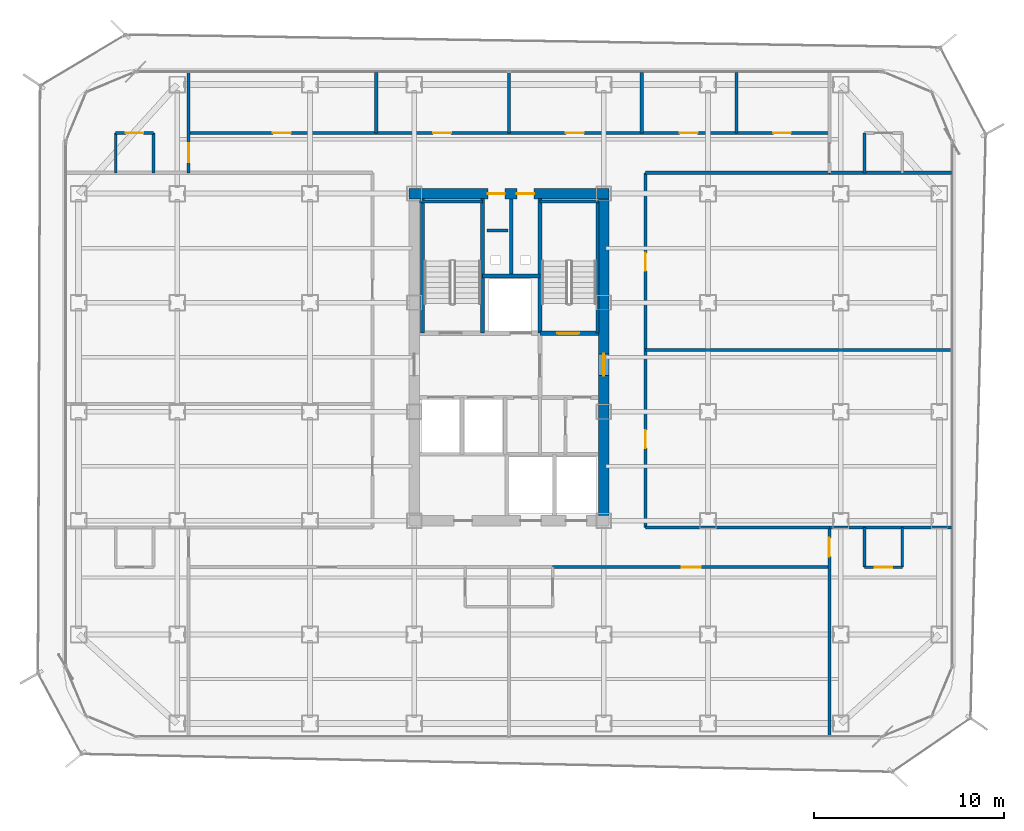
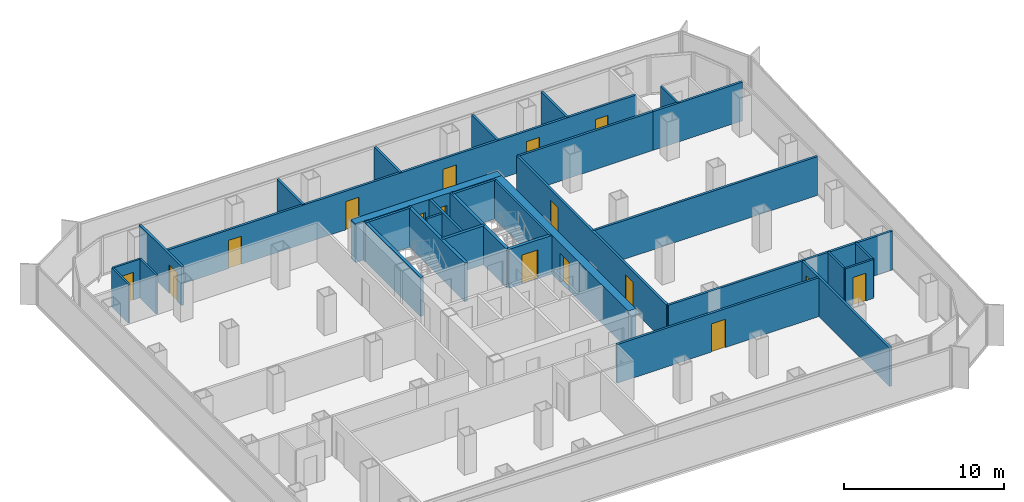
# One storey, part 17 of 21: 33 walls, 16 doors, 16 openings.
"""IFC4 building model written with IfcOpenShell, lengths in metres."""

from ifc_helpers import new_model, si_unit, direction, frame, frame_2d, origin, place, context, subcontext, project, spatial, rectangle, extrude, material, layer, layer_set, type_object, element, fill, save


model = new_model("IFC4")

# Units and contexts
model_context = context("Model", 3, precision=1e-05, world=origin(), true_north=direction((0.0, 1.0)))
body_context = subcontext(model_context, "Body", "Model", "MODEL_VIEW")
ifc_project = project(units=[si_unit("LENGTHUNIT", "METRE"), si_unit("AREAUNIT", "SQUARE_METRE"), si_unit("VOLUMEUNIT", "CUBIC_METRE"), si_unit("PLANEANGLEUNIT", "RADIAN"), si_unit("MASSUNIT", "GRAM", prefix="KILO")], contexts=[model_context])

# Site, building, storey
site_placement = place(None, origin())
site = spatial("IfcSite", under=ifc_project, at=site_placement, CompositionType="ELEMENT")
building_placement = place(site_placement, origin())
building = spatial("IfcBuilding", under=site, at=building_placement, Name="Kolveth Station Tower", CompositionType="ELEMENT")
storey_placement = place(building_placement, frame((0.0, 0.0, 134.300048828125)))
storey = spatial("IfcBuildingStorey", under=building, at=storey_placement, Name="L37", CompositionType="ELEMENT", Elevation=134.300048828125)

# Wall, openings, doors
ifc_material_1 = material(Name="Concrete C60/75", Category="concrete")
ifc_layer_1 = layer(ifc_material_1, 0.550048828125)
ifc_layer_set_1 = layer_set([ifc_layer_1], Name="Concrete C60/75")
wall_type_1 = type_object("IfcWallType", Name="Wall_CW-550", PredefinedType="SHEAR", material=ifc_layer_set_1)
wall_1_placement = place(storey_placement, frame((18.22509765625, 28.75, 0.0), z_axis=(0.0, 0.0, 1.0), x_axis=(1.0, 0.0, 0.0)))
wall_1 = element("IfcWall", 1, at=wall_1_placement, inside=storey, type_object=wall_type_1, Name="L37 Core RC Shear Wall N", PredefinedType="SHEAR", context=body_context, shape_type="SweptSolid", body=[
    extrude(rectangle(XDim=10.5498046875, YDim=0.550048828125, at=frame_2d((5.27490234375, 0.0))), origin(), (0.0, 0.0, 1.0), 2.949951171875),
])
opening_1_placement = place(wall_1_placement, frame((4.155029296875, 0.0, 0.0)))
opening_1 = element("IfcOpeningElement", 2, at=opening_1_placement, cuts=wall_1, Name="Opening RD1", PredefinedType="OPENING", context=body_context, shape_type="SweptSolid", body=[
    extrude(rectangle(XDim=0.89990234375, YDim=2.050048828125, at=frame_2d((0.449951171875, 1.02490234375))), frame((0.0, 0.284912109375, 0.0), z_axis=(0.0, -1.0, 0.0), x_axis=(1.0, 0.0, 0.0)), (0.0, 0.0, 1.0), 0.570068359375),
])
opening_2_placement = place(wall_1_placement, frame((5.695068359375, 0.0, 0.0)))
opening_2 = element("IfcOpeningElement", 3, at=opening_2_placement, cuts=wall_1, Name="Opening RD1", PredefinedType="OPENING", context=body_context, shape_type="SweptSolid", body=[
    extrude(rectangle(XDim=0.89990234375, YDim=2.050048828125, at=frame_2d((0.449951171875, 1.02490234375))), frame((0.0, 0.284912109375, 0.0), z_axis=(0.0, -1.0, 0.0), x_axis=(1.0, 0.0, 0.0)), (0.0, 0.0, 1.0), 0.570068359375),
])
ifc_material_2 = material(Name="Fire-rated Steel S355 riser access leaf", Category="steel")
door_type_1 = type_object("IfcDoorType", Name="Door_RD1", OperationType="NOTDEFINED", PredefinedType="DOOR", material=ifc_material_2)
door_1_placement = place(opening_1_placement, origin())
door_1 = element("IfcDoor", 4, at=door_1_placement, inside=storey, type_object=door_type_1, Name="L37 Electrical Riser Access Door", OperationType="SINGLE_SWING_LEFT", OverallHeight=2.050048828125, OverallWidth=0.89990234375, PredefinedType="DOOR", context=body_context, shape_type="SweptSolid", body=[
    extrude(rectangle(XDim=0.89990234375, YDim=2.050048828125, at=frame_2d((0.449951171875, 1.02490234375))), frame((0.0, 0.02490234375, 0.0), z_axis=(0.0, -1.0, 0.0), x_axis=(1.0, 0.0, 0.0)), (0.0, 0.0, 1.0), 0.050048828125),
])
fill(opening_1, door_1)
door_2_placement = place(opening_2_placement, origin())
door_2 = element("IfcDoor", 5, at=door_2_placement, inside=storey, type_object=door_type_1, Name="L37 Smoke Duct Access Door", OperationType="SINGLE_SWING_RIGHT", OverallHeight=2.050048828125, OverallWidth=0.89990234375, PredefinedType="DOOR", context=body_context, shape_type="SweptSolid", body=[
    extrude(rectangle(XDim=0.89990234375, YDim=2.050048828125, at=frame_2d((0.449951171875, 1.02490234375))), frame((0.0, 0.02490234375, 0.0), z_axis=(0.0, -1.0, 0.0), x_axis=(1.0, 0.0, 0.0)), (0.0, 0.0, 1.0), 0.050048828125),
])
fill(opening_2, door_2)

# Wall, opening, door
wall_2_placement = place(storey_placement, frame((28.5, 11.77490234375, 0.0), z_axis=(0.0, 0.0, 1.0), x_axis=(0.0, 1.0, 0.0)))
wall_2 = element("IfcWall", 6, at=wall_2_placement, inside=storey, type_object=wall_type_1, Name="L37 Core RC Shear Wall E", PredefinedType="SHEAR", context=body_context, shape_type="SweptSolid", body=[
    extrude(rectangle(XDim=16.7001953125, YDim=0.550048828125, at=frame_2d((8.35009765625, 0.0))), origin(), (0.0, 0.0, 1.0), 2.949951171875),
])
opening_3_placement = place(wall_2_placement, frame((7.375, 0.0, 0.0)))
opening_3 = element("IfcOpeningElement", 7, at=opening_3_placement, cuts=wall_2, Name="Opening FD1", PredefinedType="OPENING", context=body_context, shape_type="SweptSolid", body=[
    extrude(rectangle(XDim=1.14990234375, YDim=2.199951171875, at=frame_2d((0.574951171875, 1.10009765625))), frame((0.0, 0.284912109375, 0.0), z_axis=(0.0, -1.0, 0.0), x_axis=(1.0, 0.0, 0.0)), (0.0, 0.0, 1.0), 0.570068359375),
])
ifc_material_3 = material(Name="Fire-rated Steel S355 leaf and frame", Category="steel")
door_type_2 = type_object("IfcDoorType", Name="Door_FD1", OperationType="NOTDEFINED", PredefinedType="DOOR", material=ifc_material_3)
door_3_placement = place(opening_3_placement, origin())
door_3 = element("IfcDoor", 8, at=door_3_placement, inside=storey, type_object=door_type_2, Name="L37 East Corridor to Stair Lobby Door", OperationType="SINGLE_SWING_RIGHT", OverallHeight=2.199951171875, OverallWidth=1.14990234375, PredefinedType="DOOR", context=body_context, shape_type="SweptSolid", body=[
    extrude(rectangle(XDim=1.14990234375, YDim=2.199951171875, at=frame_2d((0.574951171875, 1.10009765625))), frame((0.0, 0.02490234375, 0.0), z_axis=(0.0, -1.0, 0.0), x_axis=(1.0, 0.0, 0.0)), (0.0, 0.0, 1.0), 0.050048828125),
])
fill(opening_3, door_3)

# Walls
ifc_material_4 = material(Name="Moisture-resistant gypsum partition")
ifc_layer_2 = layer(ifc_material_4, 0.135009765625)
ifc_layer_set_2 = layer_set([ifc_layer_2], Name="Moisture-resistant gypsum partition")
wall_type_2 = type_object("IfcWallType", Name="Wall_IW-135", PredefinedType="PARTITIONING", material=ifc_layer_set_2)
wall_3_placement = place(storey_placement, frame((28.16748046875, 21.389892578125, 0.0), z_axis=(0.0, 0.0, 1.0), x_axis=(0.0, 1.0, 0.0)))
element("IfcWall", 9, at=wall_3_placement, inside=storey, type_object=wall_type_2, Name="L37 Stair Shaft Wall WL-L37-ST2-E", PredefinedType="PARTITIONING", context=body_context, shape_type="SweptSolid", body=[
    extrude(rectangle(XDim=6.945068359375, YDim=0.135009765625, at=frame_2d((3.47265625, 0.0))), origin(), (0.0, 0.0, 1.0), 2.949951171875),
])
for number, where, z_axis, x_axis, name in (
    (10, (2.75, 29.85009765625, 0.0), (0.0, 0.0, 1.0), (0.0, 1.0, 0.0), "L37 Partition Wall WL-L37-WS2-BV1"),
    (11, (4.75, 29.85009765625, 0.0), (0.0, 0.0, 1.0), (0.0, 1.0, 0.0), "L37 Partition Wall WL-L37-WS2-BV2"),
):
    element("IfcWall", number, at=place(storey_placement, frame(where, z_axis=z_axis, x_axis=x_axis)), inside=storey, type_object=wall_type_2, Name=name, PredefinedType="PARTITIONING", context=body_context, shape_type="SweptSolid", body=[
        extrude(rectangle(XDim=2.099853515625, YDim=0.135009765625, at=frame_2d((1.0498046875, 0.0))), origin(), (0.0, 0.0, 1.0), 2.949951171875),
    ])

# Wall, opening, door
wall_4_placement = place(storey_placement, frame((2.75, 31.949951171875, 0.0), z_axis=(0.0, 0.0, 1.0), x_axis=(1.0, 0.0, 0.0)))
wall_4 = element("IfcWall", 12, at=wall_4_placement, inside=storey, type_object=wall_type_2, Name="L37 Partition Wall WL-L37-WS2-BH", PredefinedType="PARTITIONING", context=body_context, shape_type="SweptSolid", body=[
    extrude(rectangle(XDim=2.0, YDim=0.135009765625, at=frame_2d((1.0, 0.0))), origin(), (0.0, 0.0, 1.0), 2.949951171875),
])
opening_4_placement = place(wall_4_placement, frame((0.5400390625, 0.0, 0.0)))
opening_4 = element("IfcOpeningElement", 13, at=opening_4_placement, cuts=wall_4, Name="Opening ID2", PredefinedType="OPENING", context=body_context, shape_type="SweptSolid", body=[
    extrude(rectangle(XDim=0.919921875, YDim=2.10009765625, at=frame_2d((0.4599609375, 1.050048828125))), frame((0.0, 0.077392578125, 0.0), z_axis=(0.0, -1.0, 0.0), x_axis=(1.0, 0.0, 0.0)), (0.0, 0.0, 1.0), 0.155029296875),
])
ifc_material_5 = material(Name="Moisture-resistant hardwood leaf", Category="wood")
door_type_3 = type_object("IfcDoorType", Name="Door_ID2", OperationType="NOTDEFINED", PredefinedType="DOOR", material=ifc_material_5)
door_4_placement = place(opening_4_placement, frame((0.919921875, 0.0, 0.0), z_axis=(0.0, 0.0, 1.0), x_axis=(-1.0, 0.0, 0.0)))
door_4 = element("IfcDoor", 14, at=door_4_placement, inside=storey, type_object=door_type_3, Name="L37 Hotel Corner Suite WS2 En-Suite Door", OperationType="SINGLE_SWING_LEFT", OverallHeight=2.10009765625, OverallWidth=0.919921875, PredefinedType="DOOR", context=body_context, shape_type="SweptSolid", body=[
    extrude(rectangle(XDim=0.919921875, YDim=2.10009765625, at=frame_2d((0.4599609375, 1.050048828125))), frame((0.0, 0.02490234375, 0.0), z_axis=(0.0, -1.0, 0.0), x_axis=(1.0, 0.0, 0.0)), (0.0, 0.0, 1.0), 0.050048828125),
])
fill(opening_4, door_4)

# Walls
for number, where, z_axis, x_axis, name in (
    (15, (42.25, 9.050048828125, 0.0), (0.0, 0.0, 1.0), (0.0, 1.0, 0.0), "L37 Partition Wall WL-L37-ES1-BV1"),
    (16, (44.25, 9.050048828125, 0.0), (0.0, 0.0, 1.0), (0.0, 1.0, 0.0), "L37 Partition Wall WL-L37-ES1-BV2"),
):
    element("IfcWall", number, at=place(storey_placement, frame(where, z_axis=z_axis, x_axis=x_axis)), inside=storey, type_object=wall_type_2, Name=name, PredefinedType="PARTITIONING", context=body_context, shape_type="SweptSolid", body=[
        extrude(rectangle(XDim=2.099853515625, YDim=0.135009765625, at=frame_2d((1.0498046875, 0.0))), origin(), (0.0, 0.0, 1.0), 2.949951171875),
    ])

# Wall, opening, door
wall_5_placement = place(storey_placement, frame((42.25, 9.050048828125, 0.0), z_axis=(0.0, 0.0, 1.0), x_axis=(1.0, 0.0, 0.0)))
wall_5 = element("IfcWall", 17, at=wall_5_placement, inside=storey, type_object=wall_type_2, Name="L37 Partition Wall WL-L37-ES1-BH", PredefinedType="PARTITIONING", context=body_context, shape_type="SweptSolid", body=[
    extrude(rectangle(XDim=2.0, YDim=0.135009765625, at=frame_2d((1.0, 0.0))), origin(), (0.0, 0.0, 1.0), 2.949951171875),
])
opening_5_placement = place(wall_5_placement, frame((0.5400390625, 0.0, 0.0)))
opening_5 = element("IfcOpeningElement", 18, at=opening_5_placement, cuts=wall_5, Name="Opening ID2", PredefinedType="OPENING", context=body_context, shape_type="SweptSolid", body=[
    extrude(rectangle(XDim=0.919921875, YDim=2.10009765625, at=frame_2d((0.4599609375, 1.050048828125))), frame((0.0, 0.077392578125, 0.0), z_axis=(0.0, -1.0, 0.0), x_axis=(1.0, 0.0, 0.0)), (0.0, 0.0, 1.0), 0.155029296875),
])
door_5_placement = place(opening_5_placement, origin())
door_5 = element("IfcDoor", 19, at=door_5_placement, inside=storey, type_object=door_type_3, Name="L37 Hotel Corner Suite ES1 En-Suite Door", OperationType="SINGLE_SWING_RIGHT", OverallHeight=2.10009765625, OverallWidth=0.919921875, PredefinedType="DOOR", context=body_context, shape_type="SweptSolid", body=[
    extrude(rectangle(XDim=0.919921875, YDim=2.10009765625, at=frame_2d((0.4599609375, 1.050048828125))), frame((0.0, 0.02490234375, 0.0), z_axis=(0.0, -1.0, 0.0), x_axis=(1.0, 0.0, 0.0)), (0.0, 0.0, 1.0), 0.050048828125),
])
fill(opening_5, door_5)

# Walls
wall_6_placement = place(storey_placement, frame((42.25, 29.85009765625, 0.0), z_axis=(0.0, 0.0, 1.0), x_axis=(0.0, 1.0, 0.0)))
element("IfcWall", 20, at=wall_6_placement, inside=storey, type_object=wall_type_2, Name="L37 Partition Wall WL-L37-ES2-BV1", PredefinedType="PARTITIONING", context=body_context, shape_type="SweptSolid", body=[
    extrude(rectangle(XDim=2.099853515625, YDim=0.135009765625, at=frame_2d((1.0498046875, 0.0))), origin(), (0.0, 0.0, 1.0), 2.949951171875),
])
ifc_material_6 = material(Name="Acoustic double-stud gypsum partition")
ifc_layer_3 = layer(ifc_material_6, 0.1650390625)
ifc_layer_set_3 = layer_set([ifc_layer_3], Name="Acoustic double-stud gypsum partition")
wall_type_3 = type_object("IfcWallType", Name="Wall_IW-165", PredefinedType="PARTITIONING", material=ifc_layer_set_3)
wall_7_placement = place(storey_placement, frame((18.784912109375, 28.3349609375, 0.0), z_axis=(0.0, 0.0, 1.0), x_axis=(1.0, 0.0, 0.0)))
element("IfcWall", 21, at=wall_7_placement, inside=storey, type_object=wall_type_3, Name="L37 Stair Shaft Wall WL-L37-ST1-N", PredefinedType="PARTITIONING", context=body_context, shape_type="SweptSolid", body=[
    extrude(rectangle(XDim=3.3251953125, YDim=0.1650390625, at=frame_2d((1.66259765625, 0.0))), origin(), (0.0, 0.0, 1.0), 2.949951171875),
])
wall_8_placement = place(storey_placement, frame((25.1298828125, 28.3349609375, 0.0), z_axis=(0.0, 0.0, 1.0), x_axis=(1.0, 0.0, 0.0)))
element("IfcWall", 22, at=wall_8_placement, inside=storey, type_object=wall_type_3, Name="L37 Stair Shaft Wall WL-L37-ST2-N", PredefinedType="PARTITIONING", context=body_context, shape_type="SweptSolid", body=[
    extrude(rectangle(XDim=3.085205078125, YDim=0.1650390625, at=frame_2d((1.54248046875, 0.0))), origin(), (0.0, 0.0, 1.0), 2.949951171875),
])
wall_9_placement = place(storey_placement, frame((23.6201171875, 24.39990234375, 0.0), z_axis=(0.0, 0.0, 1.0), x_axis=(0.0, 1.0, 0.0)))
element("IfcWall", 23, at=wall_9_placement, inside=storey, type_object=wall_type_3, Name="L37 Partition Wall WL-L37-RSR-M", PredefinedType="PARTITIONING", context=body_context, shape_type="SweptSolid", body=[
    extrude(rectangle(XDim=4.065185546875, YDim=0.1650390625, at=frame_2d((2.03271484375, 0.0))), origin(), (0.0, 0.0, 1.0), 2.949951171875),
])

# Wall, openings, doors
wall_10_placement = place(storey_placement, frame((6.60009765625, 31.949951171875, 0.0), z_axis=(0.0, 0.0, 1.0), x_axis=(1.0, 0.0, 0.0)))
wall_10 = element("IfcWall", 24, at=wall_10_placement, inside=storey, type_object=wall_type_3, Name="L37 Partition Wall WL-L37-HN", PredefinedType="PARTITIONING", context=body_context, shape_type="SweptSolid", body=[
    extrude(rectangle(XDim=33.7998046875, YDim=0.1650390625, at=frame_2d((16.89990234375, 0.0))), origin(), (0.0, 0.0, 1.0), 2.949951171875),
])
opening_6_placement = place(wall_10_placement, frame((4.449951171875, 0.0, 0.0)))
opening_6 = element("IfcOpeningElement", 25, at=opening_6_placement, cuts=wall_10, Name="Opening ID1", PredefinedType="OPENING", context=body_context, shape_type="SweptSolid", body=[
    extrude(rectangle(XDim=0.949951171875, YDim=2.14990234375, at=frame_2d((0.47509765625, 1.074951171875))), frame((0.0, 0.092529296875, 0.0), z_axis=(0.0, -1.0, 0.0), x_axis=(1.0, 0.0, 0.0)), (0.0, 0.0, 1.0), 0.18505859375),
])
opening_7_placement = place(wall_10_placement, frame((12.89990234375, 0.0, 0.0)))
opening_7 = element("IfcOpeningElement", 26, at=opening_7_placement, cuts=wall_10, Name="Opening ID1", PredefinedType="OPENING", context=body_context, shape_type="SweptSolid", body=[
    extrude(rectangle(XDim=0.949951171875, YDim=2.14990234375, at=frame_2d((0.47509765625, 1.074951171875))), frame((0.0, 0.092529296875, 0.0), z_axis=(0.0, -1.0, 0.0), x_axis=(1.0, 0.0, 0.0)), (0.0, 0.0, 1.0), 0.18505859375),
])
opening_8_placement = place(wall_10_placement, frame((19.89990234375, 0.0, 0.0)))
opening_8 = element("IfcOpeningElement", 27, at=opening_8_placement, cuts=wall_10, Name="Opening ID1", PredefinedType="OPENING", context=body_context, shape_type="SweptSolid", body=[
    extrude(rectangle(XDim=0.949951171875, YDim=2.14990234375, at=frame_2d((0.47509765625, 1.074951171875))), frame((0.0, 0.092529296875, 0.0), z_axis=(0.0, -1.0, 0.0), x_axis=(1.0, 0.0, 0.0)), (0.0, 0.0, 1.0), 0.18505859375),
])
opening_9_placement = place(wall_10_placement, frame((25.89990234375, 0.0, 0.0)))
opening_9 = element("IfcOpeningElement", 28, at=opening_9_placement, cuts=wall_10, Name="Opening ID1", PredefinedType="OPENING", context=body_context, shape_type="SweptSolid", body=[
    extrude(rectangle(XDim=0.949951171875, YDim=2.14990234375, at=frame_2d((0.47509765625, 1.074951171875))), frame((0.0, 0.092529296875, 0.0), z_axis=(0.0, -1.0, 0.0), x_axis=(1.0, 0.0, 0.0)), (0.0, 0.0, 1.0), 0.18505859375),
])
opening_10_placement = place(wall_10_placement, frame((30.85009765625, 0.0, 0.0)))
opening_10 = element("IfcOpeningElement", 29, at=opening_10_placement, cuts=wall_10, Name="Opening ID2", PredefinedType="OPENING", context=body_context, shape_type="SweptSolid", body=[
    extrude(rectangle(XDim=0.919921875, YDim=2.10009765625, at=frame_2d((0.4599609375, 1.050048828125))), frame((0.0, 0.092529296875, 0.0), z_axis=(0.0, -1.0, 0.0), x_axis=(1.0, 0.0, 0.0)), (0.0, 0.0, 1.0), 0.18505859375),
])
ifc_material_7 = material(Name="Acoustic hardwood leaf and aluminium frame", Category="wood")
door_type_4 = type_object("IfcDoorType", Name="Door_ID1", OperationType="NOTDEFINED", PredefinedType="DOOR", material=ifc_material_7)
door_6_placement = place(opening_6_placement, origin())
door_6 = element("IfcDoor", 30, at=door_6_placement, inside=storey, type_object=door_type_4, Name="L37 Conference Room North 1 Door", OperationType="SINGLE_SWING_LEFT", OverallHeight=2.14990234375, OverallWidth=0.949951171875, PredefinedType="DOOR", context=body_context, shape_type="SweptSolid", body=[
    extrude(rectangle(XDim=0.949951171875, YDim=2.14990234375, at=frame_2d((0.47509765625, 1.074951171875))), frame((0.0, 0.02490234375, 0.0), z_axis=(0.0, -1.0, 0.0), x_axis=(1.0, 0.0, 0.0)), (0.0, 0.0, 1.0), 0.050048828125),
])
fill(opening_6, door_6)
door_7_placement = place(opening_7_placement, origin())
door_7 = element("IfcDoor", 31, at=door_7_placement, inside=storey, type_object=door_type_4, Name="L37 Conference Room North 2 Door", OperationType="SINGLE_SWING_LEFT", OverallHeight=2.14990234375, OverallWidth=0.949951171875, PredefinedType="DOOR", context=body_context, shape_type="SweptSolid", body=[
    extrude(rectangle(XDim=0.949951171875, YDim=2.14990234375, at=frame_2d((0.47509765625, 1.074951171875))), frame((0.0, 0.02490234375, 0.0), z_axis=(0.0, -1.0, 0.0), x_axis=(1.0, 0.0, 0.0)), (0.0, 0.0, 1.0), 0.050048828125),
])
fill(opening_7, door_7)
door_8_placement = place(opening_8_placement, origin())
door_8 = element("IfcDoor", 32, at=door_8_placement, inside=storey, type_object=door_type_4, Name="L37 Conference Room North 3 Door", OperationType="SINGLE_SWING_RIGHT", OverallHeight=2.14990234375, OverallWidth=0.949951171875, PredefinedType="DOOR", context=body_context, shape_type="SweptSolid", body=[
    extrude(rectangle(XDim=0.949951171875, YDim=2.14990234375, at=frame_2d((0.47509765625, 1.074951171875))), frame((0.0, 0.02490234375, 0.0), z_axis=(0.0, -1.0, 0.0), x_axis=(1.0, 0.0, 0.0)), (0.0, 0.0, 1.0), 0.050048828125),
])
fill(opening_8, door_8)
door_9_placement = place(opening_9_placement, origin())
door_9 = element("IfcDoor", 33, at=door_9_placement, inside=storey, type_object=door_type_4, Name="L37 Floor Service Pantry Door", OperationType="SINGLE_SWING_LEFT", OverallHeight=2.14990234375, OverallWidth=0.949951171875, PredefinedType="DOOR", context=body_context, shape_type="SweptSolid", body=[
    extrude(rectangle(XDim=0.949951171875, YDim=2.14990234375, at=frame_2d((0.47509765625, 1.074951171875))), frame((0.0, 0.02490234375, 0.0), z_axis=(0.0, -1.0, 0.0), x_axis=(1.0, 0.0, 0.0)), (0.0, 0.0, 1.0), 0.050048828125),
])
fill(opening_9, door_9)
door_10_placement = place(opening_10_placement, origin())
door_10 = element("IfcDoor", 34, at=door_10_placement, inside=storey, type_object=door_type_3, Name="L37 Accessible Guest WC Door", OperationType="SINGLE_SWING_RIGHT", OverallHeight=2.10009765625, OverallWidth=0.919921875, PredefinedType="DOOR", context=body_context, shape_type="SweptSolid", body=[
    extrude(rectangle(XDim=0.919921875, YDim=2.10009765625, at=frame_2d((0.4599609375, 1.050048828125))), frame((0.0, 0.02490234375, 0.0), z_axis=(0.0, -1.0, 0.0), x_axis=(1.0, 0.0, 0.0)), (0.0, 0.0, 1.0), 0.050048828125),
])
fill(opening_10, door_10)

# Walls
for number, where, z_axis, x_axis, name in (
    (35, (30.699951171875, 11.14990234375, 0.0), (0.0, 0.0, 1.0), (1.0, 0.0, 0.0), "L37 Partition Wall WL-L37-HSET"),
    (36, (30.699951171875, 29.85009765625, 0.0), (0.0, 0.0, 1.0), (1.0, 0.0, 0.0), "L37 Partition Wall WL-L37-HNEB"),
):
    element("IfcWall", number, at=place(storey_placement, frame(where, z_axis=z_axis, x_axis=x_axis)), inside=storey, type_object=wall_type_3, Name=name, PredefinedType="PARTITIONING", context=body_context, shape_type="SweptSolid", body=[
        extrude(rectangle(XDim=9.699951171875, YDim=0.1650390625, at=frame_2d((4.85009765625, 0.0))), origin(), (0.0, 0.0, 1.0), 2.949951171875),
    ])

# Wall, openings, doors
wall_11_placement = place(storey_placement, frame((30.699951171875, 11.14990234375, 0.0), z_axis=(0.0, 0.0, 1.0), x_axis=(0.0, 1.0, 0.0)))
wall_11 = element("IfcWall", 37, at=wall_11_placement, inside=storey, type_object=wall_type_3, Name="L37 Partition Wall WL-L37-HE", PredefinedType="PARTITIONING", context=body_context, shape_type="SweptSolid", body=[
    extrude(rectangle(XDim=18.7001953125, YDim=0.1650390625, at=frame_2d((9.35009765625, 0.0))), origin(), (0.0, 0.0, 1.0), 2.949951171875),
])
opening_11_placement = place(wall_11_placement, frame((4.175048828125, 0.0, 0.0)))
opening_11 = element("IfcOpeningElement", 38, at=opening_11_placement, cuts=wall_11, Name="Opening ID1", PredefinedType="OPENING", context=body_context, shape_type="SweptSolid", body=[
    extrude(rectangle(XDim=0.949951171875, YDim=2.14990234375, at=frame_2d((0.47509765625, 1.074951171875))), frame((0.0, 0.092529296875, 0.0), z_axis=(0.0, -1.0, 0.0), x_axis=(1.0, 0.0, 0.0)), (0.0, 0.0, 1.0), 0.18505859375),
])
opening_12_placement = place(wall_11_placement, frame((13.52490234375, 0.0, 0.0)))
opening_12 = element("IfcOpeningElement", 39, at=opening_12_placement, cuts=wall_11, Name="Opening ID1", PredefinedType="OPENING", context=body_context, shape_type="SweptSolid", body=[
    extrude(rectangle(XDim=0.949951171875, YDim=2.14990234375, at=frame_2d((0.47509765625, 1.074951171875))), frame((0.0, 0.092529296875, 0.0), z_axis=(0.0, -1.0, 0.0), x_axis=(1.0, 0.0, 0.0)), (0.0, 0.0, 1.0), 0.18505859375),
])
door_11_placement = place(opening_11_placement, origin())
door_11 = element("IfcDoor", 40, at=door_11_placement, inside=storey, type_object=door_type_4, Name="L37 Spa Suite East Door", OperationType="SINGLE_SWING_LEFT", OverallHeight=2.14990234375, OverallWidth=0.949951171875, PredefinedType="DOOR", context=body_context, shape_type="SweptSolid", body=[
    extrude(rectangle(XDim=0.949951171875, YDim=2.14990234375, at=frame_2d((0.47509765625, 1.074951171875))), frame((0.0, 0.02490234375, 0.0), z_axis=(0.0, -1.0, 0.0), x_axis=(1.0, 0.0, 0.0)), (0.0, 0.0, 1.0), 0.050048828125),
])
fill(opening_11, door_11)
door_12_placement = place(opening_12_placement, origin())
door_12 = element("IfcDoor", 41, at=door_12_placement, inside=storey, type_object=door_type_4, Name="L37 Executive Boardroom Door", OperationType="SINGLE_SWING_RIGHT", OverallHeight=2.14990234375, OverallWidth=0.949951171875, PredefinedType="DOOR", context=body_context, shape_type="SweptSolid", body=[
    extrude(rectangle(XDim=0.949951171875, YDim=2.14990234375, at=frame_2d((0.47509765625, 1.074951171875))), frame((0.0, 0.02490234375, 0.0), z_axis=(0.0, -1.0, 0.0), x_axis=(1.0, 0.0, 0.0)), (0.0, 0.0, 1.0), 0.050048828125),
])
fill(opening_12, door_12)

# Wall, opening, door
wall_12_placement = place(storey_placement, frame((6.60009765625, 29.85009765625, 0.0), z_axis=(0.0, 0.0, 1.0), x_axis=(0.0, 1.0, 0.0)))
wall_12 = element("IfcWall", 42, at=wall_12_placement, inside=storey, type_object=wall_type_3, Name="L37 Partition Wall WL-L37-END-WN", PredefinedType="PARTITIONING", context=body_context, shape_type="SweptSolid", body=[
    extrude(rectangle(XDim=5.289794921875, YDim=0.1650390625, at=frame_2d((2.64501953125, 0.0))), origin(), (0.0, 0.0, 1.0), 2.949951171875),
])
opening_13_placement = place(wall_12_placement, frame((0.550048828125, 0.0, 0.0)))
opening_13 = element("IfcOpeningElement", 43, at=opening_13_placement, cuts=wall_12, Name="Opening FD3", PredefinedType="OPENING", context=body_context, shape_type="SweptSolid", body=[
    extrude(rectangle(XDim=1.0, YDim=2.14990234375, at=frame_2d((0.5, 1.074951171875))), frame((0.0, 0.092529296875, 0.0), z_axis=(0.0, -1.0, 0.0), x_axis=(1.0, 0.0, 0.0)), (0.0, 0.0, 1.0), 0.18505859375),
])
ifc_material_8 = material(Name="Fire-rated hardwood leaf and aluminium frame", Category="wood")
door_type_5 = type_object("IfcDoorType", Name="Door_FD3", OperationType="NOTDEFINED", PredefinedType="DOOR", material=ifc_material_8)
door_13_placement = place(opening_13_placement, origin())
door_13 = element("IfcDoor", 44, at=door_13_placement, inside=storey, type_object=door_type_5, Name="L37 Hotel Corner Suite WS2 Entrance Door", OperationType="SINGLE_SWING_LEFT", OverallHeight=2.14990234375, OverallWidth=1.0, PredefinedType="DOOR", context=body_context, shape_type="SweptSolid", body=[
    extrude(rectangle(XDim=1.0, YDim=2.14990234375, at=frame_2d((0.5, 1.074951171875))), frame((0.0, 0.02490234375, 0.0), z_axis=(0.0, -1.0, 0.0), x_axis=(1.0, 0.0, 0.0)), (0.0, 0.0, 1.0), 0.050048828125),
])
fill(opening_13, door_13)

wall_13_placement = place(storey_placement, frame((40.39990234375, 0.159912109375, 0.0), z_axis=(0.0, 0.0, 1.0), x_axis=(0.0, 1.0, 0.0)))
wall_13 = element("IfcWall", 45, at=wall_13_placement, inside=storey, type_object=wall_type_3, Name="L37 Partition Wall WL-L37-END-ES", PredefinedType="PARTITIONING", context=body_context, shape_type="SweptSolid", body=[
    extrude(rectangle(XDim=10.989990234375, YDim=0.1650390625, at=frame_2d((5.4951171875, 0.0))), origin(), (0.0, 0.0, 1.0), 2.949951171875),
])
opening_14_placement = place(wall_13_placement, frame((9.43994140625, 0.0, 0.0)))
opening_14 = element("IfcOpeningElement", 46, at=opening_14_placement, cuts=wall_13, Name="Opening FD3", PredefinedType="OPENING", context=body_context, shape_type="SweptSolid", body=[
    extrude(rectangle(XDim=1.0, YDim=2.14990234375, at=frame_2d((0.5, 1.074951171875))), frame((0.0, 0.092529296875, 0.0), z_axis=(0.0, -1.0, 0.0), x_axis=(1.0, 0.0, 0.0)), (0.0, 0.0, 1.0), 0.18505859375),
])
door_14_placement = place(opening_14_placement, frame((1.0, 0.0, 0.0), z_axis=(0.0, 0.0, 1.0), x_axis=(-1.0, 0.0, 0.0)))
door_14 = element("IfcDoor", 47, at=door_14_placement, inside=storey, type_object=door_type_5, Name="L37 Hotel Corner Suite ES1 Entrance Door", OperationType="SINGLE_SWING_LEFT", OverallHeight=2.14990234375, OverallWidth=1.0, PredefinedType="DOOR", context=body_context, shape_type="SweptSolid", body=[
    extrude(rectangle(XDim=1.0, YDim=2.14990234375, at=frame_2d((0.5, 1.074951171875))), frame((0.0, 0.02490234375, 0.0), z_axis=(0.0, -1.0, 0.0), x_axis=(1.0, 0.0, 0.0)), (0.0, 0.0, 1.0), 0.050048828125),
])
fill(opening_14, door_14)

# Walls
for number, where, z_axis, x_axis, name in (
    (48, (40.39990234375, 11.14990234375, 0.0), (0.0, 0.0, 1.0), (1.0, 0.0, 0.0), "L37 Partition Wall WL-L37-EM1"),
    (49, (40.39990234375, 29.85009765625, 0.0), (0.0, 0.0, 1.0), (1.0, 0.0, 0.0), "L37 Partition Wall WL-L37-EM2"),
):
    element("IfcWall", number, at=place(storey_placement, frame(where, z_axis=z_axis, x_axis=x_axis)), inside=storey, type_object=wall_type_3, Name=name, PredefinedType="PARTITIONING", context=body_context, shape_type="SweptSolid", body=[
        extrude(rectangle(XDim=6.440185546875, YDim=0.1650390625, at=frame_2d((3.22021484375, 0.0))), origin(), (0.0, 0.0, 1.0), 2.949951171875),
    ])

# Wall, opening, door
wall_14_placement = place(storey_placement, frame((25.800048828125, 9.050048828125, 0.0), z_axis=(0.0, 0.0, 1.0), x_axis=(1.0, 0.0, 0.0)))
wall_14 = element("IfcWall", 50, at=wall_14_placement, inside=storey, type_object=wall_type_3, Name="L37 Partition Wall WL-L37-HS2-RCOR", PredefinedType="PARTITIONING", context=body_context, shape_type="SweptSolid", body=[
    extrude(rectangle(XDim=14.599853515625, YDim=0.1650390625, at=frame_2d((7.2998046875, 0.0))), origin(), (0.0, 0.0, 1.0), 2.949951171875),
])
opening_15_placement = place(wall_14_placement, frame((6.800048828125, 0.0, 0.0)))
opening_15 = element("IfcOpeningElement", 51, at=opening_15_placement, cuts=wall_14, Name="Opening FD3", PredefinedType="OPENING", context=body_context, shape_type="SweptSolid", body=[
    extrude(rectangle(XDim=1.0, YDim=2.14990234375, at=frame_2d((0.5, 1.074951171875))), frame((0.0, 0.092529296875, 0.0), z_axis=(0.0, -1.0, 0.0), x_axis=(1.0, 0.0, 0.0)), (0.0, 0.0, 1.0), 0.18505859375),
])
door_15_placement = place(opening_15_placement, frame((1.0, 0.0, 0.0), z_axis=(0.0, 0.0, 1.0), x_axis=(-1.0, 0.0, 0.0)))
door_15 = element("IfcDoor", 52, at=door_15_placement, inside=storey, type_object=door_type_5, Name="L37 Hotel Corner Suite HS2 Entrance Door", OperationType="SINGLE_SWING_LEFT", OverallHeight=2.14990234375, OverallWidth=1.0, PredefinedType="DOOR", context=body_context, shape_type="SweptSolid", body=[
    extrude(rectangle(XDim=1.0, YDim=2.14990234375, at=frame_2d((0.5, 1.074951171875))), frame((0.0, 0.02490234375, 0.0), z_axis=(0.0, -1.0, 0.0), x_axis=(1.0, 0.0, 0.0)), (0.0, 0.0, 1.0), 0.050048828125),
])
fill(opening_15, door_15)

# Walls
for number, where, z_axis, x_axis, name in (
    (53, (16.5, 31.949951171875, 0.0), (0.0, 0.0, 1.0), (0.0, 1.0, 0.0), "L37 Partition Wall WL-L37-HN-P1"),
    (54, (23.5, 31.949951171875, 0.0), (0.0, 0.0, 1.0), (0.0, 1.0, 0.0), "L37 Partition Wall WL-L37-HN-P2"),
    (55, (30.5, 31.949951171875, 0.0), (0.0, 0.0, 1.0), (0.0, 1.0, 0.0), "L37 Partition Wall WL-L37-HN-P3"),
    (56, (35.5, 31.949951171875, 0.0), (0.0, 0.0, 1.0), (0.0, 1.0, 0.0), "L37 Partition Wall WL-L37-HN-P4"),
):
    element("IfcWall", number, at=place(storey_placement, frame(where, z_axis=z_axis, x_axis=x_axis)), inside=storey, type_object=wall_type_3, Name=name, PredefinedType="PARTITIONING", context=body_context, shape_type="SweptSolid", body=[
        extrude(rectangle(XDim=3.18994140625, YDim=0.1650390625, at=frame_2d((1.594970703125, 0.0))), origin(), (0.0, 0.0, 1.0), 2.949951171875),
    ])
wall_15_placement = place(storey_placement, frame((30.699951171875, 20.5, 0.0), z_axis=(0.0, 0.0, 1.0), x_axis=(1.0, 0.0, 0.0)))
element("IfcWall", 57, at=wall_15_placement, inside=storey, type_object=wall_type_3, Name="L37 Partition Wall WL-L37-HME-P1", PredefinedType="PARTITIONING", context=body_context, shape_type="SweptSolid", body=[
    extrude(rectangle(XDim=16.14013671875, YDim=0.1650390625, at=frame_2d((8.070068359375, 0.0))), origin(), (0.0, 0.0, 1.0), 2.949951171875),
])
wall_16_placement = place(storey_placement, frame((22.35009765625, 26.800048828125, 0.0), z_axis=(0.0, 0.0, 1.0), x_axis=(1.0, 0.0, 0.0)))
element("IfcWall", 58, at=wall_16_placement, inside=storey, type_object=wall_type_3, Name="L37 Acoustic Riser Dry-Lining Wall", PredefinedType="PARTITIONING", context=body_context, shape_type="SweptSolid", body=[
    extrude(rectangle(XDim=1.099853515625, YDim=0.1650390625, at=frame_2d((0.5498046875, 0.0))), origin(), (0.0, 0.0, 1.0), 2.949951171875),
])
ifc_material_9 = material(Name="Acoustic fire-rated gypsum blockwork", Category="masonry")
ifc_layer_4 = layer(ifc_material_9, 0.199951171875)
ifc_layer_set_4 = layer_set([ifc_layer_4], Name="Acoustic fire-rated gypsum blockwork")
wall_type_4 = type_object("IfcWallType", Name="Wall_IW-200", PredefinedType="PARTITIONING", material=ifc_layer_set_4)
wall_17_placement = place(storey_placement, frame((22.110107421875, 24.39990234375, 0.0), z_axis=(0.0, 0.0, 1.0), x_axis=(1.0, 0.0, 0.0)))
element("IfcWall", 59, at=wall_17_placement, inside=storey, type_object=wall_type_4, Name="L37 Partition Wall WL-L37-RSR-S", PredefinedType="PARTITIONING", context=body_context, shape_type="SweptSolid", body=[
    extrude(rectangle(XDim=3.019775390625, YDim=0.199951171875, at=frame_2d((1.509765625, 0.0))), origin(), (0.0, 0.0, 1.0), 2.949951171875),
])
ifc_material_10 = material(Name="Concrete C40/50", Category="concrete")
ifc_layer_5 = layer(ifc_material_10, 0.219970703125)
ifc_layer_set_5 = layer_set([ifc_layer_5], Name="Concrete C40/50")
wall_type_5 = type_object("IfcWallType", Name="Wall_IW-220", PredefinedType="SOLIDWALL", material=ifc_layer_set_5)
for number, where, z_axis, x_axis, name in (
    (60, (18.929931640625, 21.389892578125, 0.0), (0.0, 0.0, 1.0), (0.0, 1.0, 0.0), "L37 Stair Shaft Wall WL-L37-ST1-W"),
    (61, (22.110107421875, 21.389892578125, 0.0), (0.0, 0.0, 1.0), (0.0, 1.0, 0.0), "L37 Stair Shaft Wall WL-L37-ST1-E"),
    (62, (25.1298828125, 21.389892578125, 0.0), (0.0, 0.0, 1.0), (0.0, 1.0, 0.0), "L37 Stair Shaft Wall WL-L37-ST2-W"),
):
    element("IfcWall", number, at=place(storey_placement, frame(where, z_axis=z_axis, x_axis=x_axis)), inside=storey, type_object=wall_type_5, Name=name, PredefinedType="SOLIDWALL", context=body_context, shape_type="SweptSolid", body=[
        extrude(rectangle(XDim=7.110107421875, YDim=0.219970703125, at=frame_2d((3.55517578125, 0.0))), origin(), (0.0, 0.0, 1.0), 2.949951171875),
    ])

# Wall, opening, door
wall_18_placement = place(storey_placement, frame((25.1298828125, 21.389892578125, 0.0), z_axis=(0.0, 0.0, 1.0), x_axis=(1.0, 0.0, 0.0)))
wall_18 = element("IfcWall", 63, at=wall_18_placement, inside=storey, type_object=wall_type_5, Name="L37 Stair Shaft Wall WL-L37-ST2-S", PredefinedType="SOLIDWALL", context=body_context, shape_type="SweptSolid", body=[
    extrude(rectangle(XDim=3.085205078125, YDim=0.219970703125, at=frame_2d((1.54248046875, 0.0))), origin(), (0.0, 0.0, 1.0), 2.949951171875),
])
opening_16_placement = place(wall_18_placement, frame((0.919921875, 0.0, 0.0)))
opening_16 = element("IfcOpeningElement", 64, at=opening_16_placement, cuts=wall_18, Name="Opening FD1", PredefinedType="OPENING", context=body_context, shape_type="SweptSolid", body=[
    extrude(rectangle(XDim=1.14990234375, YDim=2.199951171875, at=frame_2d((0.574951171875, 1.10009765625))), frame((0.0, 0.119873046875, 0.0), z_axis=(0.0, -1.0, 0.0), x_axis=(1.0, 0.0, 0.0)), (0.0, 0.0, 1.0), 0.239990234375),
])
door_16_placement = place(opening_16_placement, frame((1.14990234375, 0.0, 0.0), z_axis=(0.0, 0.0, 1.0), x_axis=(-1.0, 0.0, 0.0)))
door_16 = element("IfcDoor", 65, at=door_16_placement, inside=storey, type_object=door_type_2, Name="L37 Stair ST2 Fire Door", OperationType="SINGLE_SWING_RIGHT", OverallHeight=2.199951171875, OverallWidth=1.14990234375, PredefinedType="DOOR", context=body_context, shape_type="SweptSolid", body=[
    extrude(rectangle(XDim=1.14990234375, YDim=2.199951171875, at=frame_2d((0.574951171875, 1.10009765625))), frame((0.0, 0.02490234375, 0.0), z_axis=(0.0, -1.0, 0.0), x_axis=(1.0, 0.0, 0.0)), (0.0, 0.0, 1.0), 0.050048828125),
])
fill(opening_16, door_16)

save(model, "model.ifc")
